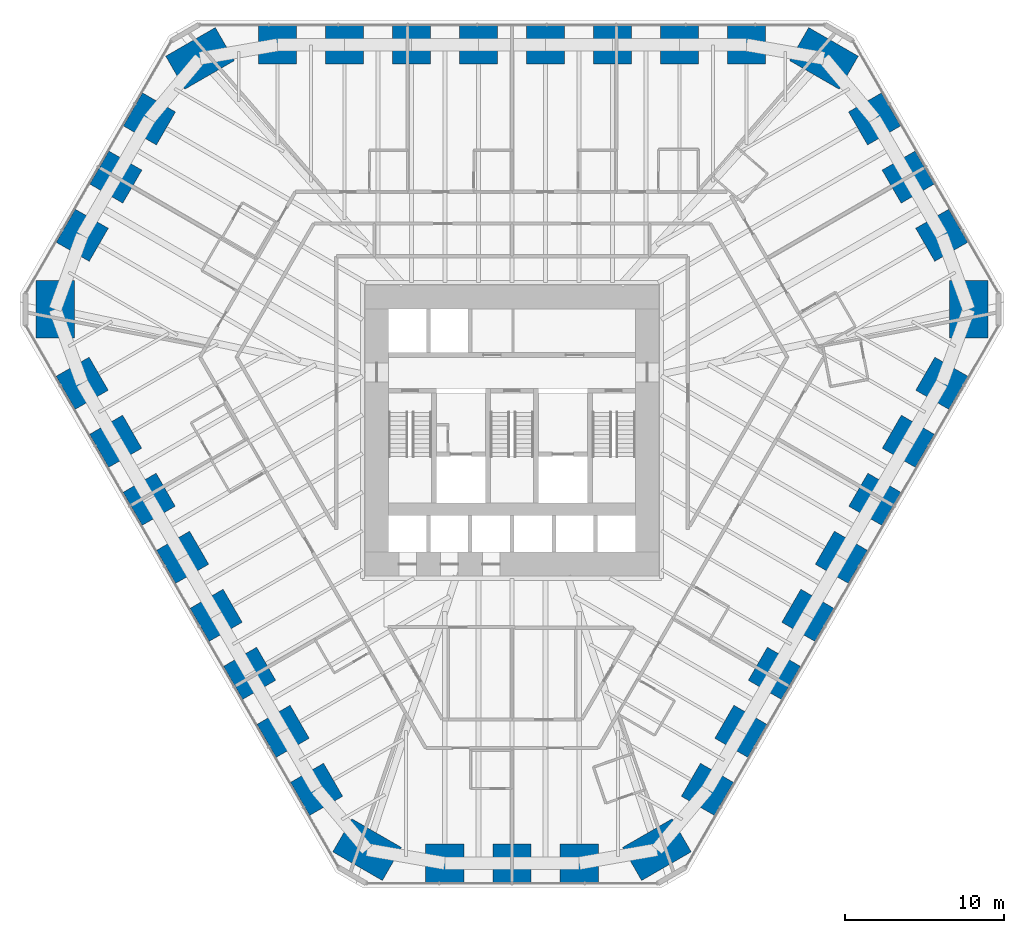
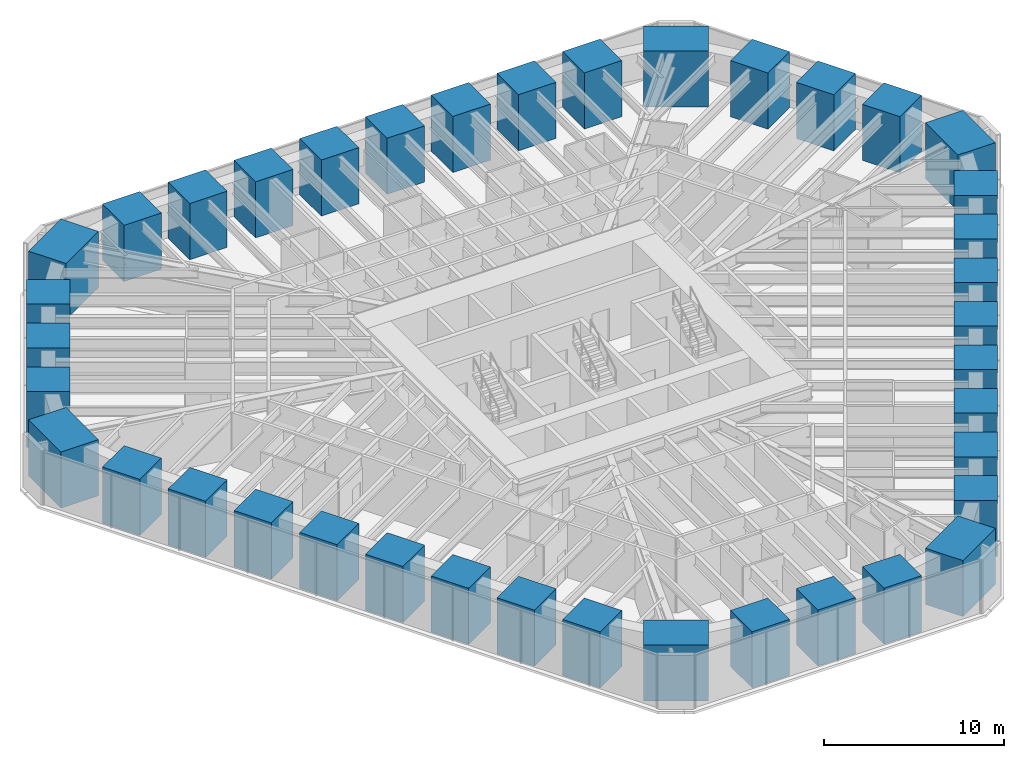
# One storey, part 1 of 17: 39 columns.
"""IFC4 building model written with IfcOpenShell, lengths in metres."""

import ifcopenshell
import ifcopenshell.guid

model = None  # the IFC model being written
_history = None  # IfcOwnerHistory: only IFC2X3 demands one
_inside = {}  # id of a spatial element -> (the spatial element, [elements in it])
_under = {}  # id of a project, library or spatial element -> (it, [spatial elements below it])
_declared = {}  # id of a project -> (the project, [libraries it declares])
_typed = {}  # id of a type object -> (the type object, [elements of that type])
_made_of = {}  # id of a material, layer set ... -> (it, [elements and type objects made of it])


def new_model(schema):
    """Start an empty IFC model of exactly this schema.

    Asked for "IFC4X3", IfcOpenShell would pick the latest addendum, in which some entities
    have other attributes; the version numbers below select the first issue.
    IFC2X3 requires an IfcOwnerHistory on every rooted entity: one is made here for all.
    """
    global model, _history
    if schema == "IFC4X3":
        model = ifcopenshell.file(schema_version=(4, 3, 0, 0))
    else:
        model = ifcopenshell.file(schema=schema)
    _inside.clear()
    _under.clear()
    _declared.clear()
    _typed.clear()
    _made_of.clear()
    _history = None
    if model.schema == "IFC2X3":
        org = make("IfcOrganization", Name="unknown")
        user = make(
            "IfcPersonAndOrganization",
            ThePerson=make("IfcPerson", FamilyName="unknown"),
            TheOrganization=org,
        )
        app = make(
            "IfcApplication",
            ApplicationDeveloper=org,
            Version="unknown",
            ApplicationFullName="unknown",
            ApplicationIdentifier="unknown",
        )
        _history = make(
            "IfcOwnerHistory",
            OwningUser=user,
            OwningApplication=app,
            ChangeAction="ADDED",
            CreationDate=0,
        )
    return model


def make(cls, **values):
    """One entity of the class cls with the attributes given. An attribute that is None is left unset."""
    return model.create_entity(
        cls, **{name: value for name, value in values.items() if value is not None}
    )


def rooted(cls, **values):
    """An entity with a GlobalId (a new one), such as an element, a storey or a relation."""
    return make(cls, GlobalId=ifcopenshell.guid.new(), OwnerHistory=_history, **values)


def si_unit(unit_type, name, prefix=None):
    """IfcSIUnit, for example si_unit("LENGTHUNIT", "METRE", prefix="MILLI")."""
    return make("IfcSIUnit", UnitType=unit_type, Prefix=prefix, Name=name)


def assignment(units):
    """IfcUnitAssignment: the units of a project."""
    return None if units is None else make("IfcUnitAssignment", Units=units)


def point(xyz):
    """IfcCartesianPoint."""
    return None if xyz is None else make("IfcCartesianPoint", Coordinates=xyz)


def direction(xyz):
    """IfcDirection."""
    return None if xyz is None else make("IfcDirection", DirectionRatios=xyz)


def frame(location, z_axis=None, x_axis=None):
    """IfcAxis2Placement3D, a coordinate frame: its origin and axes. An axis left out is left unset."""
    return make(
        "IfcAxis2Placement3D",
        Location=point(location),
        Axis=direction(z_axis),
        RefDirection=direction(x_axis),
    )


def frame_2d(location, x_axis=None):
    """IfcAxis2Placement2D, a coordinate frame in the plane: its origin and x axis."""
    return make(
        "IfcAxis2Placement2D", Location=point(location), RefDirection=direction(x_axis)
    )


def origin():
    """The frame at (0, 0, 0) with its axes left unset."""
    return frame((0.0, 0.0, 0.0))


def origin_2d():
    """The frame at (0, 0) in the plane with its x axis left unset."""
    return frame_2d((0.0, 0.0))


def place(relative_to, where):
    """IfcLocalPlacement: puts the frame where relative to a parent placement (None: the world)."""
    return make(
        "IfcLocalPlacement", PlacementRelTo=relative_to, RelativePlacement=where
    )


def context(
    kind, dimensions, precision=None, world=None, true_north=None, identifier=None
):
    """IfcGeometricRepresentationContext, for example the 3D "Model" context."""
    return make(
        "IfcGeometricRepresentationContext",
        ContextIdentifier=identifier,
        ContextType=kind,
        CoordinateSpaceDimension=dimensions,
        Precision=precision,
        WorldCoordinateSystem=world,
        TrueNorth=true_north,
    )


def subcontext(parent, identifier, kind, view, scale=None):
    """IfcGeometricRepresentationSubContext, for example "Body" below "Model"."""
    return make(
        "IfcGeometricRepresentationSubContext",
        ContextIdentifier=identifier,
        ContextType=kind,
        ParentContext=parent,
        TargetScale=scale,
        TargetView=view,
    )


def project(units=None, contexts=None):
    """IfcProject with its units and contexts."""
    return rooted(
        "IfcProject",
        Name="project",
        RepresentationContexts=contexts,
        UnitsInContext=assignment(units),
    )


def spatial(cls, under=None, at=None, **own):
    """A site, building, storey or space (cls), placed at a placement, below another one or the project."""
    s = rooted(cls, ObjectPlacement=at, **own)
    if under is not None:
        _under.setdefault(under.id(), (under, []))[1].append(s)
    return s


def profile(cls, at=None, kind="AREA", **sizes):
    """A parametric profile (cls). Its sizes go by their IFC names, for example OverallWidth=200.0."""
    return make(cls, ProfileType=kind, Position=at, **sizes)


def rectangle(**sizes):
    """IfcRectangleProfileDef."""
    return profile("IfcRectangleProfileDef", **sizes)


def extrude(swept, where, along, depth):
    """IfcExtrudedAreaSolid: the profile swept, set in the frame where, extruded along a direction by depth."""
    return make(
        "IfcExtrudedAreaSolid",
        SweptArea=swept,
        Position=where,
        ExtrudedDirection=direction(along),
        Depth=depth,
    )


def shape(context_of_items, identifier, shape_type, items):
    """IfcShapeRepresentation: the items that make up one representation, for example the "Body"."""
    return make(
        "IfcShapeRepresentation",
        ContextOfItems=context_of_items,
        RepresentationIdentifier=identifier,
        RepresentationType=shape_type,
        Items=items,
    )


def material(Name=None, Category=None):
    """IfcMaterial."""
    return make("IfcMaterial", Name=Name, Category=Category)


def material_profile(
    of_material, cross_section, Name=None, Category=None, Priority=None
):
    """IfcMaterialProfile: a cross section and its material."""
    return make(
        "IfcMaterialProfile",
        Name=Name,
        Material=of_material,
        Profile=cross_section,
        Priority=Priority,
        Category=Category,
    )


def profile_set(profiles, Name=None, composite=None):
    """IfcMaterialProfileSet."""
    return make(
        "IfcMaterialProfileSet",
        Name=Name,
        MaterialProfiles=profiles,
        CompositeProfile=composite,
    )


def made_of(thing, what):
    """Note that an element or type object is made of a material, layer set ...; save() writes the relation."""
    if what is not None:
        _made_of.setdefault(what.id(), (what, []))[1].append(thing)
    return thing


def type_object(cls, material=None, **own):
    """A type object (cls), such as IfcWallType, which elements share."""
    return made_of(rooted(cls, **own), material)


def element(
    cls,
    number,
    at=None,
    inside=None,
    cuts=None,
    type_object=None,
    material=None,
    context=None,
    identifier="Body",
    shape_type=None,
    held_by="IfcProductDefinitionShape",
    body=None,
    shapes=None,
    **own,
):
    """One element of the class cls, such as IfcWall. Its Tag is "e" and its number.

    at: its placement. inside: the storey or other place that contains it. cuts: it is an
    opening in that element (IfcRelVoidsElement). A single representation is given by context,
    identifier, shape_type and body (its items); several are given by shapes. held_by: the class
    of the entity that holds the representations. save() writes the other relations.
    """
    e = rooted(cls, Tag="e%d" % number, ObjectPlacement=at, **own)
    if body is not None:
        shapes = [shape(context, identifier, shape_type, body)]
    if shapes is not None:
        e.Representation = make(held_by, Representations=shapes)
    if inside is not None:
        _inside.setdefault(inside.id(), (inside, []))[1].append(e)
    if cuts is not None:
        rooted(
            "IfcRelVoidsElement", RelatingBuildingElement=cuts, RelatedOpeningElement=e
        )
    if type_object is not None:
        _typed.setdefault(type_object.id(), (type_object, []))[1].append(e)
    return made_of(e, material)


def aggregate(whole, parts):
    """IfcRelAggregates: a whole, such as a stair, and the parts it consists of."""
    return rooted("IfcRelAggregates", RelatingObject=whole, RelatedObjects=parts)


def save(model, path):
    """Write the relations noted so far, then the file.

    IfcRelAggregates (storeys below a building ...), IfcRelContainedInSpatialStructure (elements
    in a storey), IfcRelDefinesByType, IfcRelAssociatesMaterial and IfcRelDeclares: one each for
    every whole, place, type object, material and project.
    """
    for whole, parts in _under.values():
        aggregate(whole, parts)
    for where, things in _inside.values():
        rooted(
            "IfcRelContainedInSpatialStructure",
            RelatedElements=things,
            RelatingStructure=where,
        )
    for kind, things in _typed.values():
        rooted("IfcRelDefinesByType", RelatedObjects=things, RelatingType=kind)
    for what, things in _made_of.values():
        rooted("IfcRelAssociatesMaterial", RelatedObjects=things, RelatingMaterial=what)
    for by, libraries in _declared.values():
        rooted("IfcRelDeclares", RelatingContext=by, RelatedDefinitions=libraries)
    model.write(path)


model = new_model("IFC4")

# Units and contexts
model_context = context("Model", 3, precision=1e-05, world=origin(), true_north=direction((0.0, 1.0)))
body_context = subcontext(model_context, "Body", "Model", "MODEL_VIEW")
ifc_project = project(units=[si_unit("LENGTHUNIT", "METRE"), si_unit("AREAUNIT", "SQUARE_METRE"), si_unit("VOLUMEUNIT", "CUBIC_METRE"), si_unit("PLANEANGLEUNIT", "RADIAN"), si_unit("MASSUNIT", "GRAM", prefix="KILO")], contexts=[model_context])

# Site, building, storey
site_placement = place(None, origin())
site = spatial("IfcSite", under=ifc_project, at=site_placement, CompositionType="ELEMENT")
building_placement = place(site_placement, origin())
building = spatial("IfcBuilding", under=site, at=building_placement, Name="Sandreach Pilgrim Tower", CompositionType="ELEMENT")
storey_placement = place(building_placement, frame((0.0, 0.0, 49.60009765625)))
storey = spatial("IfcBuildingStorey", under=building, at=storey_placement, Name="L11", CompositionType="ELEMENT", Elevation=49.60009765625)

# Columns
ifc_material_1 = material(Name="Concrete 10000 psi", Category="concrete")
ifc_material_profile_1 = material_profile(ifc_material_1, rectangle(XDim=2.39990234375, YDim=2.39990234375, at=origin_2d()), Name="RC2400X2400")
ifc_profile_set_1 = profile_set([ifc_material_profile_1], Name="Concrete 10000 psi")
column_type_1 = type_object("IfcColumnType", Name="Tube column RC2400X2400", PredefinedType="COLUMN", material=ifc_profile_set_1)
for number, where, z_axis, x_axis, name in (
    (1, (-14.734619140625, 22.688720703125, 0.0), (0.0, 0.0, 1.0), (0.0, 1.0, 0.0), "COL L11 T01"),
    (2, (-10.52490234375, 22.688720703125, 0.0), (0.0, 0.0, 1.0), (0.0, 1.0, 0.0), "COL L11 T02"),
    (3, (-6.31494140625, 22.688720703125, 0.0), (0.0, 0.0, 1.0), (0.0, 1.0, 0.0), "COL L11 T03"),
    (4, (-2.10498046875, 22.688720703125, 0.0), (0.0, 0.0, 1.0), (0.0, 1.0, 0.0), "COL L11 T04"),
    (5, (2.10498046875, 22.688720703125, 0.0), (0.0, 0.0, 1.0), (0.0, 1.0, 0.0), "COL L11 T05"),
    (6, (6.31494140625, 22.688720703125, 0.0), (0.0, 0.0, 1.0), (0.0, 1.0, 0.0), "COL L11 T06"),
    (7, (10.52490234375, 22.688720703125, 0.0), (0.0, 0.0, 1.0), (0.0, 1.0, 0.0), "COL L11 T07"),
    (8, (14.734619140625, 22.688720703125, 0.0), (0.0, 0.0, 1.0), (0.0, 1.0, 0.0), "COL L11 T08"),
    (9, (22.787841796875, 18.031982421875, 0.0), (0.0, 0.0, 1.0), (0.866025403784, 0.5, 0.0), "COL L11 T10"),
    (10, (24.89892578125, 14.37548828125, 0.0), (0.0, 0.0, 1.0), (0.866025403784, 0.5, 0.0), "COL L11 T11"),
    (11, (27.01025390625, 10.71875, 0.0), (0.0, 0.0, 1.0), (0.866025403784, 0.5, 0.0), "COL L11 T12"),
    (12, (27.016357421875, 1.416259765625, 0.0), (0.0, 0.0, 1.0), (0.866025403784, -0.5, 0.0), "COL L11 T14"),
    (13, (24.911376953125, -2.229736328125, 0.0), (0.0, 0.0, 1.0), (0.866025403784, -0.5, 0.0), "COL L11 T15"),
    (14, (22.806396484375, -5.87548828125, 0.0), (0.0, 0.0, 1.0), (0.866025403784, -0.5, 0.0), "COL L11 T16"),
    (15, (20.701416015625, -9.521484375, 0.0), (0.0, 0.0, 1.0), (0.866025403784, -0.5, 0.0), "COL L11 T17"),
    (16, (18.596435546875, -13.167236328125, 0.0), (0.0, 0.0, 1.0), (0.866025403784, -0.5, 0.0), "COL L11 T18"),
    (17, (16.491455078125, -16.813232421875, 0.0), (0.0, 0.0, 1.0), (0.866025403784, -0.5, 0.0), "COL L11 T19"),
    (18, (14.38671875, -20.458984375, 0.0), (0.0, 0.0, 1.0), (0.866025403784, -0.5, 0.0), "COL L11 T20"),
    (19, (12.28173828125, -24.10498046875, 0.0), (0.0, 0.0, 1.0), (0.866025403784, -0.5, 0.0), "COL L11 T21"),
    (20, (4.222412109375, -28.7509765625, 0.0), (0.0, 0.0, 1.0), (0.0, -1.0, 0.0), "COL L11 T23"),
    (21, (0.0, -28.7509765625, 0.0), (0.0, 0.0, 1.0), (0.0, -1.0, 0.0), "COL L11 T24"),
    (22, (-4.222412109375, -28.7509765625, 0.0), (0.0, 0.0, 1.0), (0.0, -1.0, 0.0), "COL L11 T25"),
    (23, (-12.28173828125, -24.10498046875, 0.0), (0.0, 0.0, 1.0), (-0.866025403784, -0.5, 0.0), "COL L11 T27"),
    (24, (-14.38671875, -20.458984375, 0.0), (0.0, 0.0, 1.0), (-0.866025403784, -0.5, 0.0), "COL L11 T28"),
    (25, (-16.491455078125, -16.813232421875, 0.0), (0.0, 0.0, 1.0), (-0.866025403784, -0.5, 0.0), "COL L11 T29"),
    (26, (-18.596435546875, -13.167236328125, 0.0), (0.0, 0.0, 1.0), (-0.866025403784, -0.5, 0.0), "COL L11 T30"),
    (27, (-20.701416015625, -9.521484375, 0.0), (0.0, 0.0, 1.0), (-0.866025403784, -0.5, 0.0), "COL L11 T31"),
    (28, (-22.806396484375, -5.87548828125, 0.0), (0.0, 0.0, 1.0), (-0.866025403784, -0.5, 0.0), "COL L11 T32"),
    (29, (-24.911376953125, -2.229736328125, 0.0), (0.0, 0.0, 1.0), (-0.866025403784, -0.5, 0.0), "COL L11 T33"),
    (30, (-27.016357421875, 1.416259765625, 0.0), (0.0, 0.0, 1.0), (-0.866025403784, -0.5, 0.0), "COL L11 T34"),
    (31, (-27.01025390625, 10.71875, 0.0), (0.0, 0.0, 1.0), (-0.866025403784, 0.5, 0.0), "COL L11 T36"),
    (32, (-24.89892578125, 14.37548828125, 0.0), (0.0, 0.0, 1.0), (-0.866025403784, 0.5, 0.0), "COL L11 T37"),
    (33, (-22.787841796875, 18.031982421875, 0.0), (0.0, 0.0, 1.0), (-0.866025403784, 0.5, 0.0), "COL L11 T38"),
):
    element("IfcColumn", number, at=place(storey_placement, frame(where, z_axis=z_axis, x_axis=x_axis)), inside=storey, type_object=column_type_1, Name=name, PredefinedType="COLUMN", context=body_context, shape_type="SweptSolid", body=[
        extrude(rectangle(XDim=2.39990234375, YDim=2.39990234375, at=origin_2d()), origin(), (0.0, 0.0, 1.0), 3.7998046875),
    ])
ifc_material_2 = material(Name="Concrete 10000 psi", Category="concrete")
ifc_material_profile_2 = material_profile(ifc_material_2, rectangle(XDim=2.39990234375, YDim=3.60009765625, at=origin_2d()), Name="RC2400X3600")
ifc_profile_set_2 = profile_set([ifc_material_profile_2], Name="Concrete 10000 psi")
column_type_2 = type_object("IfcColumnType", Name="Tube corner pier RC2400X3600", PredefinedType="COLUMN", material=ifc_profile_set_2)
for number, where, z_axis, x_axis, name in (
    (34, (19.6064453125, 21.834716796875, 0.0), (0.0, 0.0, 1.0), (0.5, 0.866025403784, 0.0), "COL L11 T09"),
    (35, (28.712646484375, 6.062255859375, 0.0), (0.0, 0.0, 1.0), (1.0, 0.0, 0.0), "COL L11 T13"),
    (36, (9.1064453125, -27.89697265625, 0.0), (0.0, 0.0, 1.0), (0.5, -0.866025403784, 0.0), "COL L11 T22"),
    (37, (-9.1064453125, -27.89697265625, 0.0), (0.0, 0.0, 1.0), (-0.5, -0.866025403784, 0.0), "COL L11 T26"),
    (38, (-28.712646484375, 6.062255859375, 0.0), (0.0, 0.0, 1.0), (-1.0, 0.0, 0.0), "COL L11 T35"),
    (39, (-19.6064453125, 21.834716796875, 0.0), (0.0, 0.0, 1.0), (-0.5, 0.866025403784, 0.0), "COL L11 T39"),
):
    element("IfcColumn", number, at=place(storey_placement, frame(where, z_axis=z_axis, x_axis=x_axis)), inside=storey, type_object=column_type_2, Name=name, PredefinedType="COLUMN", context=body_context, shape_type="SweptSolid", body=[
        extrude(rectangle(XDim=2.39990234375, YDim=3.60009765625, at=origin_2d()), origin(), (0.0, 0.0, 1.0), 3.7998046875),
    ])

save(model, "model.ifc")
